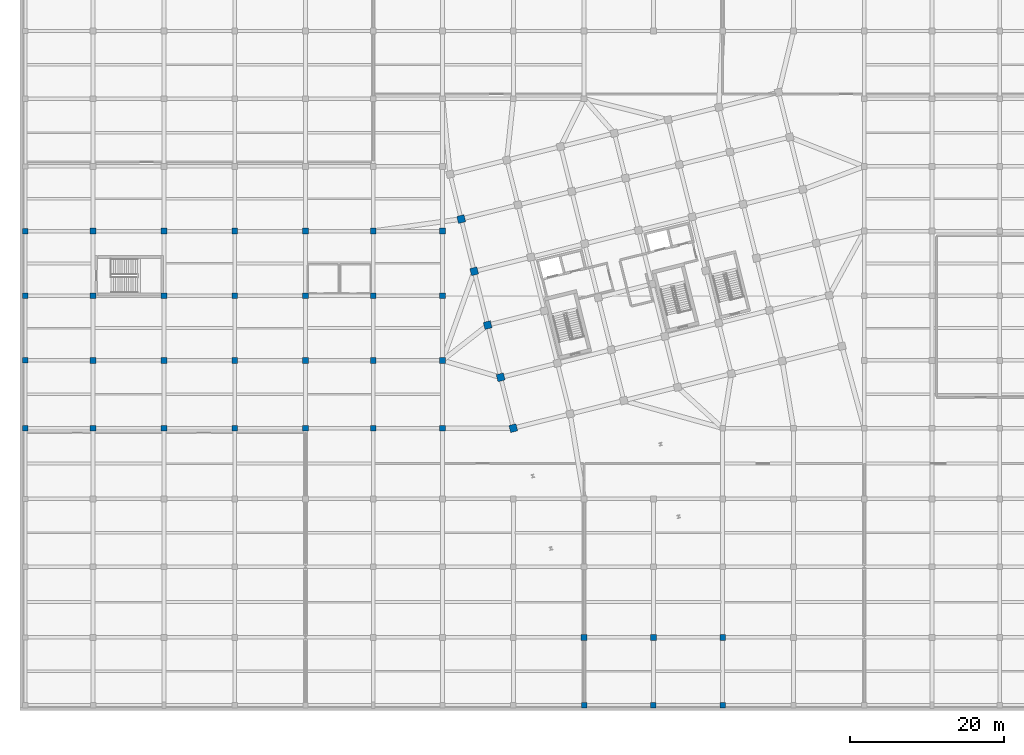
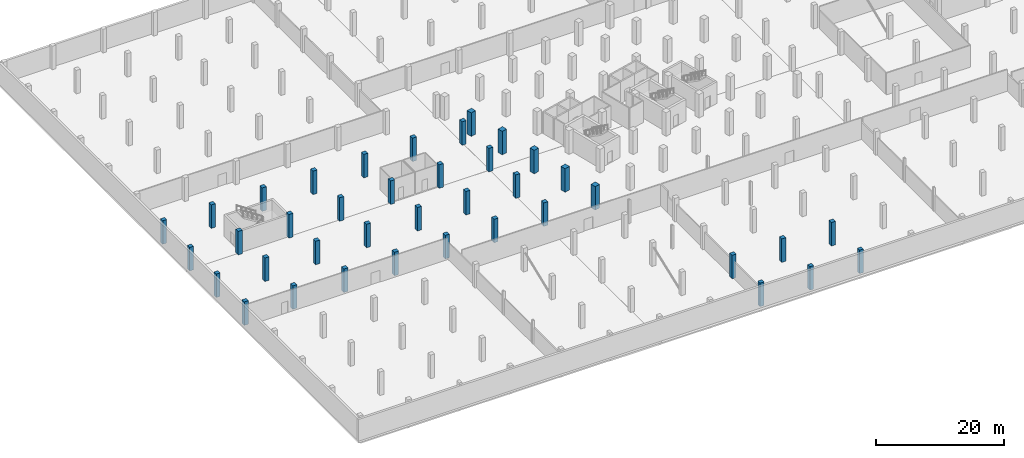
# One storey, part 3 of 31: 39 columns.
"""IFC4 building model written with IfcOpenShell, lengths in metres."""

from ifc_helpers import new_model, si_unit, direction, frame, origin, origin_2d, place, context, subcontext, project, spatial, rectangle, extrude, material, material_profile, profile_set, type_object, element, save


model = new_model("IFC4")

# Units and contexts
model_context = context("Model", 3, precision=1e-05, world=origin(), true_north=direction((0.0, 1.0)))
body_context = subcontext(model_context, "Body", "Model", "MODEL_VIEW")
ifc_project = project(units=[si_unit("LENGTHUNIT", "METRE"), si_unit("AREAUNIT", "SQUARE_METRE"), si_unit("VOLUMEUNIT", "CUBIC_METRE"), si_unit("PLANEANGLEUNIT", "RADIAN"), si_unit("MASSUNIT", "GRAM", prefix="KILO")], contexts=[model_context])

# Site, building, storey
site_placement = place(None, origin())
site = spatial("IfcSite", under=ifc_project, at=site_placement, CompositionType="ELEMENT")
building_placement = place(site_placement, origin())
building = spatial("IfcBuilding", under=site, at=building_placement, Name="Meriwether Solvik Hall", CompositionType="ELEMENT")
storey_placement = place(building_placement, frame((0.0, 0.0, -4.5)))
storey = spatial("IfcBuildingStorey", under=building, at=storey_placement, Name="B01", CompositionType="ELEMENT", Elevation=-4.5)

# Columns
ifc_material_1 = material(Name="Concrete C40/50", Category="concrete")
ifc_material_profile_1 = material_profile(ifc_material_1, rectangle(XDim=0.699951171875, YDim=0.699951171875, at=origin_2d()), Name="RCC-700X700")
ifc_profile_set_1 = profile_set([ifc_material_profile_1], Name="Concrete C40/50")
column_type_1 = type_object("IfcColumnType", Name="COL-RC-700", PredefinedType="COLUMN", material=ifc_profile_set_1)
for number, where, z_axis, x_axis, name in (
    (1, (5.199951171875, 41.199951171875, 0.0), (0.0, 0.0, 1.0), (1.0, 0.0, 0.0), "Podium Column 1/E (B01)"),
    (2, (5.199951171875, 50.0, 0.0), (0.0, 0.0, 1.0), (1.0, 0.0, 0.0), "Podium Column 1/F (B01)"),
    (3, (5.199951171875, 58.39990234375, 0.0), (0.0, 0.0, 1.0), (1.0, 0.0, 0.0), "Podium Column 1/G (B01)"),
    (4, (5.199951171875, 66.800048828125, 0.0), (0.0, 0.0, 1.0), (1.0, 0.0, 0.0), "Podium Column 1/H (B01)"),
    (5, (77.800048828125, 5.199951171875, 0.0), (0.0, 0.0, 1.0), (1.0, 0.0, 0.0), "Podium Column 9/A (B01)"),
    (6, (86.800048828125, 5.199951171875, 0.0), (0.0, 0.0, 1.0), (1.0, 0.0, 0.0), "Podium Column 10/A (B01)"),
    (7, (95.800048828125, 5.199951171875, 0.0), (0.0, 0.0, 1.0), (1.0, 0.0, 0.0), "Podium Column 11/A (B01)"),
):
    element("IfcColumn", number, at=place(storey_placement, frame(where, z_axis=z_axis, x_axis=x_axis)), inside=storey, type_object=column_type_1, Name=name, PredefinedType="COLUMN", context=body_context, shape_type="SweptSolid", body=[
        extrude(rectangle(XDim=0.699951171875, YDim=0.699951171875, at=origin_2d()), origin(), (0.0, 0.0, 1.0), 4.5),
    ])
ifc_material_2 = material(Name="Concrete C40/50", Category="concrete")
ifc_material_profile_2 = material_profile(ifc_material_2, rectangle(XDim=0.75, YDim=0.75, at=origin_2d()), Name="RCC-750X750")
ifc_profile_set_2 = profile_set([ifc_material_profile_2], Name="Concrete C40/50")
column_type_2 = type_object("IfcColumnType", Name="COL-RC-750", PredefinedType="COLUMN", material=ifc_profile_set_2)
for number, where, z_axis, x_axis, name in (
    (8, (14.0, 41.199951171875, 0.0), (0.0, 0.0, 1.0), (1.0, 0.0, 0.0), "Podium Column 2/E (B01)"),
    (9, (14.0, 50.0, 0.0), (0.0, 0.0, 1.0), (1.0, 0.0, 0.0), "Podium Column 2/F (B01)"),
    (10, (14.0, 58.39990234375, 0.0), (0.0, 0.0, 1.0), (1.0, 0.0, 0.0), "Podium Column 2/G (B01)"),
    (11, (14.0, 66.800048828125, 0.0), (0.0, 0.0, 1.0), (1.0, 0.0, 0.0), "Podium Column 2/H (B01)"),
    (12, (23.199951171875, 41.199951171875, 0.0), (0.0, 0.0, 1.0), (1.0, 0.0, 0.0), "Podium Column 3/E (B01)"),
    (13, (23.199951171875, 50.0, 0.0), (0.0, 0.0, 1.0), (1.0, 0.0, 0.0), "Podium Column 3/F (B01)"),
    (14, (23.199951171875, 58.39990234375, 0.0), (0.0, 0.0, 1.0), (1.0, 0.0, 0.0), "Podium Column 3/G (B01)"),
    (15, (23.199951171875, 66.800048828125, 0.0), (0.0, 0.0, 1.0), (1.0, 0.0, 0.0), "Podium Column 3/H (B01)"),
    (16, (32.39990234375, 41.199951171875, 0.0), (0.0, 0.0, 1.0), (1.0, 0.0, 0.0), "Podium Column 4/E (B01)"),
    (17, (32.39990234375, 50.0, 0.0), (0.0, 0.0, 1.0), (1.0, 0.0, 0.0), "Podium Column 4/F (B01)"),
    (18, (32.39990234375, 58.39990234375, 0.0), (0.0, 0.0, 1.0), (1.0, 0.0, 0.0), "Podium Column 4/G (B01)"),
    (19, (32.39990234375, 66.800048828125, 0.0), (0.0, 0.0, 1.0), (1.0, 0.0, 0.0), "Podium Column 4/H (B01)"),
    (20, (41.60009765625, 41.199951171875, 0.0), (0.0, 0.0, 1.0), (1.0, 0.0, 0.0), "Podium Column 5/E (B01)"),
    (21, (41.60009765625, 50.0, 0.0), (0.0, 0.0, 1.0), (1.0, 0.0, 0.0), "Podium Column 5/F (B01)"),
    (22, (41.60009765625, 58.39990234375, 0.0), (0.0, 0.0, 1.0), (1.0, 0.0, 0.0), "Podium Column 5/G (B01)"),
    (23, (41.60009765625, 66.800048828125, 0.0), (0.0, 0.0, 1.0), (1.0, 0.0, 0.0), "Podium Column 5/H (B01)"),
    (24, (50.39990234375, 41.199951171875, 0.0), (0.0, 0.0, 1.0), (1.0, 0.0, 0.0), "Podium Column 6/E (B01)"),
    (25, (50.39990234375, 50.0, 0.0), (0.0, 0.0, 1.0), (1.0, 0.0, 0.0), "Podium Column 6/F (B01)"),
    (26, (50.39990234375, 58.39990234375, 0.0), (0.0, 0.0, 1.0), (1.0, 0.0, 0.0), "Podium Column 6/G (B01)"),
    (27, (50.39990234375, 66.800048828125, 0.0), (0.0, 0.0, 1.0), (1.0, 0.0, 0.0), "Podium Column 6/H (B01)"),
    (28, (59.39990234375, 41.199951171875, 0.0), (0.0, 0.0, 1.0), (1.0, 0.0, 0.0), "Podium Column 7/E (B01)"),
    (29, (59.39990234375, 50.0, 0.0), (0.0, 0.0, 1.0), (1.0, 0.0, 0.0), "Podium Column 7/F (B01)"),
    (30, (59.39990234375, 58.39990234375, 0.0), (0.0, 0.0, 1.0), (1.0, 0.0, 0.0), "Podium Column 7/G (B01)"),
    (31, (59.39990234375, 66.800048828125, 0.0), (0.0, 0.0, 1.0), (1.0, 0.0, 0.0), "Podium Column 7/H (B01)"),
    (32, (77.800048828125, 14.0, 0.0), (0.0, 0.0, 1.0), (1.0, 0.0, 0.0), "Podium Column 9/B (B01)"),
    (33, (86.800048828125, 14.0, 0.0), (0.0, 0.0, 1.0), (1.0, 0.0, 0.0), "Podium Column 10/B (B01)"),
    (34, (95.800048828125, 14.0, 0.0), (0.0, 0.0, 1.0), (1.0, 0.0, 0.0), "Podium Column 11/B (B01)"),
):
    element("IfcColumn", number, at=place(storey_placement, frame(where, z_axis=z_axis, x_axis=x_axis)), inside=storey, type_object=column_type_2, Name=name, PredefinedType="COLUMN", context=body_context, shape_type="SweptSolid", body=[
        extrude(rectangle(XDim=0.75, YDim=0.75, at=origin_2d()), origin(), (0.0, 0.0, 1.0), 4.5),
    ])
ifc_material_3 = material(Name="Concrete C45/55", Category="concrete")
ifc_material_profile_3 = material_profile(ifc_material_3, rectangle(XDim=0.949951171875, YDim=0.949951171875, at=origin_2d()), Name="RCC-950X950")
ifc_profile_set_3 = profile_set([ifc_material_profile_3], Name="Concrete C45/55")
column_type_3 = type_object("IfcColumnType", Name="COL-RC-950", PredefinedType="COLUMN", material=ifc_profile_set_3)
for number, where, z_axis, x_axis, name in (
    (35, (68.60009765625, 41.199951171875, 0.0), (0.0, 0.0, 1.0), (0.970295726276, 0.2419218956, 0.0), "Tower Column T1/TA (B01)"),
    (36, (66.954833984375, 47.798095703125, 0.0), (0.0, 0.0, 1.0), (0.970295726276, 0.2419218956, 0.0), "Tower Column T1/TB (B01)"),
    (37, (65.261474609375, 54.590087890625, 0.0), (0.0, 0.0, 1.0), (0.970295726276, 0.2419218956, 0.0), "Tower Column T1/TC (B01)"),
    (38, (63.51953125, 61.576171875, 0.0), (0.0, 0.0, 1.0), (0.970295726276, 0.2419218956, 0.0), "Tower Column T1/TD (B01)"),
    (39, (61.826171875, 68.3681640625, 0.0), (0.0, 0.0, 1.0), (0.970295726276, 0.2419218956, 0.0), "Tower Column T1/TE (B01)"),
):
    element("IfcColumn", number, at=place(storey_placement, frame(where, z_axis=z_axis, x_axis=x_axis)), inside=storey, type_object=column_type_3, Name=name, PredefinedType="COLUMN", context=body_context, shape_type="SweptSolid", body=[
        extrude(rectangle(XDim=0.949951171875, YDim=0.949951171875, at=origin_2d()), origin(), (0.0, 0.0, 1.0), 4.5),
    ])

save(model, "model.ifc")
